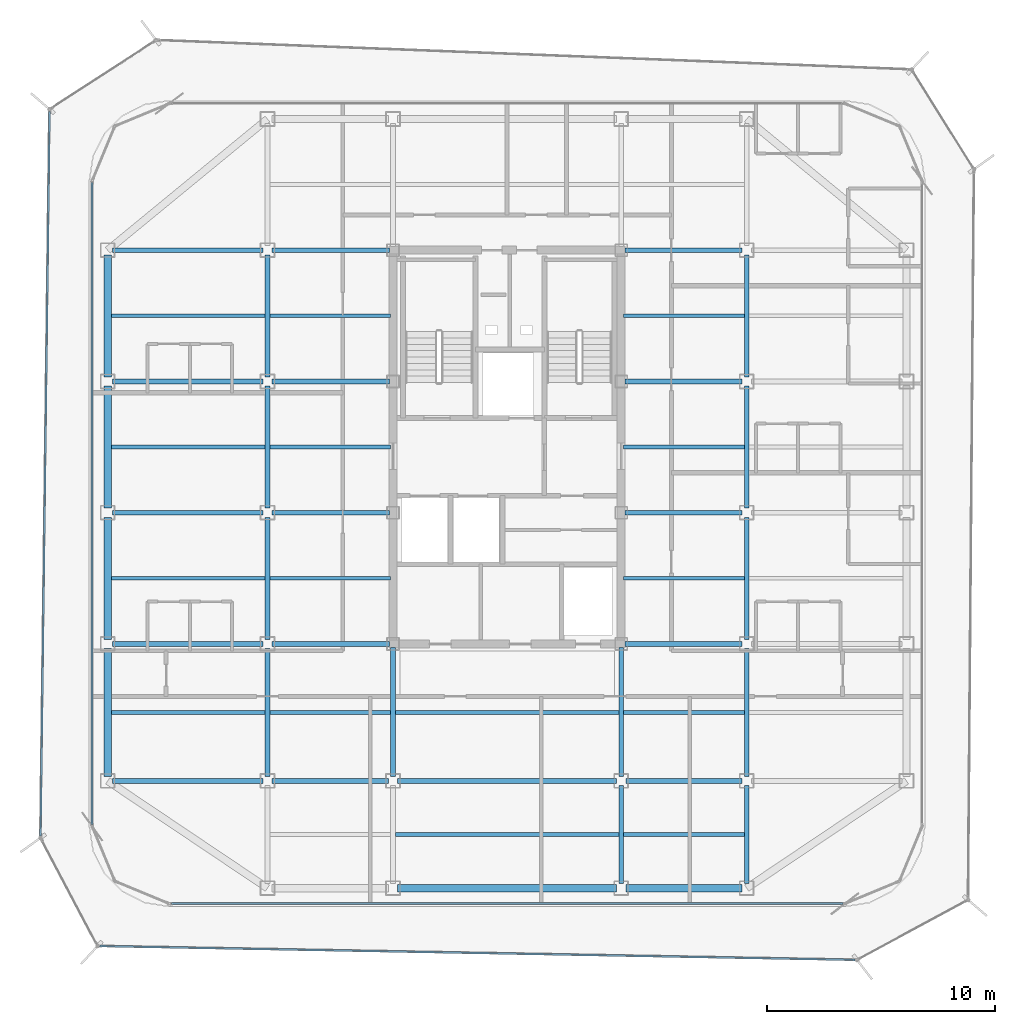
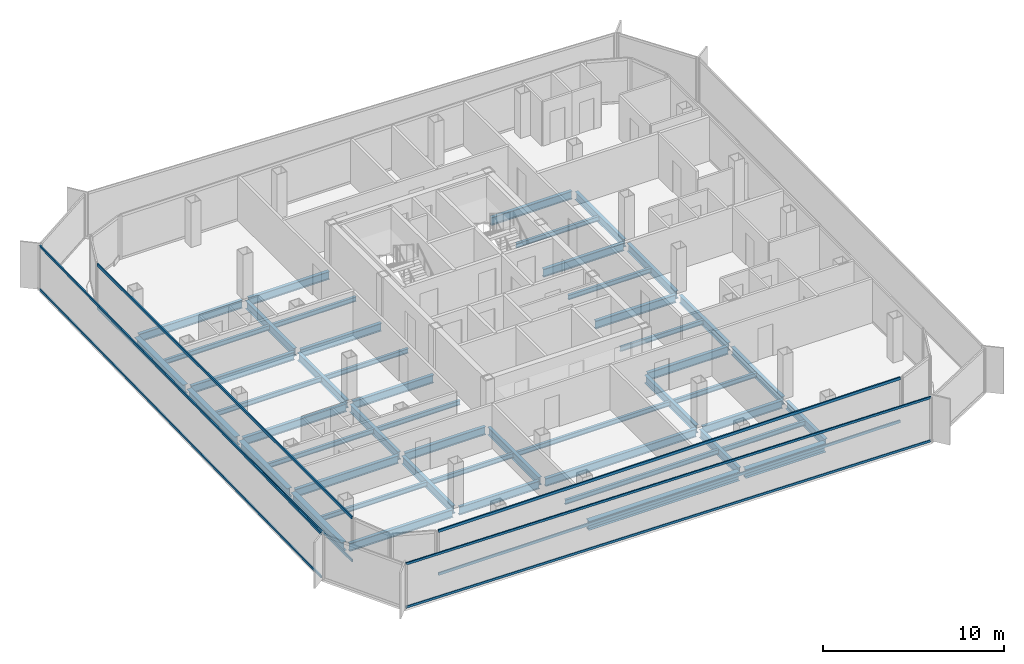
# One storey, part 3 of 15: 49 beams, 8 members, 4 elements without a shape of their own.
"""IFC4 building model written with IfcOpenShell, lengths in metres."""

from ifc_helpers import new_model, si_unit, direction, frame, origin, origin_2d, place, context, subcontext, project, spatial, hollow_rectangle, i_section, extrude, source, transform, mapped, material, layer, layer_set, material_profile, profile_set, type_object, element, aggregate, save


model = new_model("IFC4")

# Units and contexts
model_context = context("Model", 3, precision=1e-05, world=origin(), true_north=direction((0.0, 1.0)))
body_context = subcontext(model_context, "Body", "Model", "MODEL_VIEW")
ifc_project = project(units=[si_unit("LENGTHUNIT", "METRE"), si_unit("AREAUNIT", "SQUARE_METRE"), si_unit("VOLUMEUNIT", "CUBIC_METRE"), si_unit("PLANEANGLEUNIT", "RADIAN"), si_unit("MASSUNIT", "GRAM", prefix="KILO")], contexts=[model_context])

# Site, building, storey
site_placement = place(None, origin())
site = spatial("IfcSite", under=ifc_project, at=site_placement, CompositionType="ELEMENT")
building_placement = place(site_placement, origin())
building = spatial("IfcBuilding", under=site, at=building_placement, Name="Kolveth Station Tower", CompositionType="ELEMENT")
storey_placement = place(building_placement, frame((0.0, 0.0, 245.699951171875)))
storey = spatial("IfcBuildingStorey", under=building, at=storey_placement, Name="L70", CompositionType="ELEMENT", Elevation=245.699951171875)

# Beams
ifc_material_1 = material(Name="Steel S355", Category="steel")
ifc_material_profile_1 = material_profile(ifc_material_1, i_section(OverallWidth=0.323974609375, OverallDepth=0.611083984375, WebThickness=0.0126953125, FlangeThickness=0.01904296875, at=origin_2d()), Name="W610x155")
ifc_profile_set_1 = profile_set([ifc_material_profile_1], Name="Steel S355")
beam_type_1 = type_object("IfcBeamType", Name="Beam_SP2", PredefinedType="SPANDREL", material=ifc_profile_set_1)
shared_shape_1 = source(origin(), body_context, "Body", "SweptSolid", [
    extrude(i_section(OverallWidth=0.323974609375, OverallDepth=0.611083984375, WebThickness=0.0126953125, FlangeThickness=0.01904296875, at=origin_2d()), origin(), (0.0, 0.0, 1.0), 5.10009765625),
])
beam_1_placement = place(storey_placement, frame((28.699951171875, 0.800048828125, -0.525390625), z_axis=(1.0, 0.0, 0.0), x_axis=(0.0, 1.0, 0.0)))
element("IfcBeam", 1, at=beam_1_placement, inside=storey, type_object=beam_type_1, Name="L70 Perimeter Spandrel BM-L70-PS-3", PredefinedType="SPANDREL", context=body_context, shape_type="MappedRepresentation", body=[
    mapped(shared_shape_1, transform((0.0, 0.0, 0.0), x_axis=(1.0, 0.0, 0.0), y_axis=(0.0, 1.0, 0.0), z_axis=(0.0, 0.0, 1.0), scale=1.0)),
])
shared_shape_2 = source(origin(), body_context, "Body", "SweptSolid", [
    extrude(i_section(OverallWidth=0.323974609375, OverallDepth=0.611083984375, WebThickness=0.0126953125, FlangeThickness=0.01904296875, at=origin_2d()), origin(), (0.0, 0.0, 1.0), 9.60009765625),
])
beam_2_placement = place(storey_placement, frame((18.699951171875, 0.800048828125, -0.525390625), z_axis=(1.0, 0.0, 0.0), x_axis=(0.0, 1.0, 0.0)))
element("IfcBeam", 2, at=beam_2_placement, inside=storey, type_object=beam_type_1, Name="L70 Perimeter Spandrel BM-L70-PS-2", PredefinedType="SPANDREL", context=body_context, shape_type="MappedRepresentation", body=[
    mapped(shared_shape_2, transform((0.0, 0.0, 0.0), x_axis=(1.0, 0.0, 0.0), y_axis=(0.0, 1.0, 0.0), z_axis=(0.0, 0.0, 1.0), scale=1.0)),
])
shared_shape_3 = source(origin(), body_context, "Body", "SweptSolid", [
    extrude(i_section(OverallWidth=0.323974609375, OverallDepth=0.611083984375, WebThickness=0.0126953125, FlangeThickness=0.01904296875, at=origin_2d()), origin(), (0.0, 0.0, 1.0), 5.60009765625),
])
beam_3_placement = place(storey_placement, frame((6.0, 5.699951171875, -0.525390625), z_axis=(0.0, 1.0, 0.0), x_axis=(-1.0, 0.0, 0.0)))
element("IfcBeam", 3, at=beam_3_placement, inside=storey, type_object=beam_type_1, Name="L70 Perimeter Spandrel BM-L70-PW-1", PredefinedType="SPANDREL", context=body_context, shape_type="MappedRepresentation", body=[
    mapped(shared_shape_3, transform((0.0, 0.0, 0.0), x_axis=(1.0, 0.0, 0.0), y_axis=(0.0, 1.0, 0.0), z_axis=(0.0, 0.0, 1.0), scale=1.0)),
])
shared_shape_4 = source(origin(), body_context, "Body", "SweptSolid", [
    extrude(i_section(OverallWidth=0.323974609375, OverallDepth=0.611083984375, WebThickness=0.0126953125, FlangeThickness=0.01904296875, at=origin_2d()), origin(), (0.0, 0.0, 1.0), 5.35009765625),
])
for number, where, z_axis, x_axis, name in (
    (4, (6.0, 11.699951171875, -0.525390625), (0.0, 1.0, 0.0), (-1.0, 0.0, 0.0), "L70 Perimeter Spandrel BM-L70-PW-2"),
    (5, (6.0, 17.449951171875, -0.525390625), (0.0, 1.0, 0.0), (-1.0, 0.0, 0.0), "L70 Perimeter Spandrel BM-L70-PW-3"),
    (6, (6.0, 23.199951171875, -0.525390625), (0.0, 1.0, 0.0), (-1.0, 0.0, 0.0), "L70 Perimeter Spandrel BM-L70-PW-4"),
):
    element("IfcBeam", number, at=place(storey_placement, frame(where, z_axis=z_axis, x_axis=x_axis)), inside=storey, type_object=beam_type_1, Name=name, PredefinedType="SPANDREL", context=body_context, shape_type="MappedRepresentation", body=[
        mapped(shared_shape_4, transform((0.0, 0.0, 0.0), x_axis=(1.0, 0.0, 0.0), y_axis=(0.0, 1.0, 0.0), z_axis=(0.0, 0.0, 1.0), scale=1.0)),
    ])
ifc_material_profile_2 = material_profile(ifc_material_1, i_section(OverallWidth=0.2099609375, OverallDepth=0.537109375, WebThickness=0.010986328125, FlangeThickness=0.017333984375, at=origin_2d()), Name="W530x101")
ifc_profile_set_2 = profile_set([ifc_material_profile_2], Name="Steel S355")
beam_type_2 = type_object("IfcBeamType", Name="Beam_B6", PredefinedType="BEAM", material=ifc_profile_set_2)
shared_shape_5 = source(origin(), body_context, "Body", "SweptSolid", [
    extrude(i_section(OverallWidth=0.2099609375, OverallDepth=0.537109375, WebThickness=0.010986328125, FlangeThickness=0.017333984375, at=origin_2d()), origin(), (0.0, 0.0, 1.0), 6.60009765625),
])
for number, where, z_axis, x_axis, name in (
    (7, (6.199951171875, 5.5, -0.488525390625), (1.0, 0.0, 0.0), (0.0, 1.0, 0.0), "L70 Primary Girder BM-L70-GY55-1"),
    (8, (6.199951171875, 11.5, -0.488525390625), (1.0, 0.0, 0.0), (0.0, 1.0, 0.0), "L70 Primary Girder BM-L70-GY115-1"),
    (9, (6.199951171875, 17.25, -0.488525390625), (1.0, 0.0, 0.0), (0.0, 1.0, 0.0), "L70 Primary Girder BM-L70-GY172-1"),
    (10, (6.199951171875, 23.0, -0.488525390625), (1.0, 0.0, 0.0), (0.0, 1.0, 0.0), "L70 Primary Girder BM-L70-GY230-1"),
    (11, (6.199951171875, 28.75, -0.488525390625), (1.0, 0.0, 0.0), (0.0, 1.0, 0.0), "L70 Primary Girder BM-L70-GY287-1"),
):
    element("IfcBeam", number, at=place(storey_placement, frame(where, z_axis=z_axis, x_axis=x_axis)), inside=storey, type_object=beam_type_2, Name=name, PredefinedType="BEAM", context=body_context, shape_type="MappedRepresentation", body=[
        mapped(shared_shape_5, transform((0.0, 0.0, 0.0), x_axis=(1.0, 0.0, 0.0), y_axis=(0.0, 1.0, 0.0), z_axis=(0.0, 0.0, 1.0), scale=1.0)),
    ])
shared_shape_6 = source(origin(), body_context, "Body", "SweptSolid", [
    extrude(i_section(OverallWidth=0.2099609375, OverallDepth=0.537109375, WebThickness=0.010986328125, FlangeThickness=0.017333984375, at=origin_2d()), origin(), (0.0, 0.0, 1.0), 5.10009765625),
])
for number, where, z_axis, x_axis, name in (
    (12, (13.199951171875, 5.5, -0.488525390625), (1.0, 0.0, 0.0), (0.0, 1.0, 0.0), "L70 Primary Girder BM-L70-GY55-2"),
    (13, (28.699951171875, 5.5, -0.488525390625), (1.0, 0.0, 0.0), (0.0, 1.0, 0.0), "L70 Primary Girder BM-L70-GY55-4"),
):
    element("IfcBeam", number, at=place(storey_placement, frame(where, z_axis=z_axis, x_axis=x_axis)), inside=storey, type_object=beam_type_2, Name=name, PredefinedType="BEAM", context=body_context, shape_type="MappedRepresentation", body=[
        mapped(shared_shape_6, transform((0.0, 0.0, 0.0), x_axis=(1.0, 0.0, 0.0), y_axis=(0.0, 1.0, 0.0), z_axis=(0.0, 0.0, 1.0), scale=1.0)),
    ])
shared_shape_7 = source(origin(), body_context, "Body", "SweptSolid", [
    extrude(i_section(OverallWidth=0.2099609375, OverallDepth=0.537109375, WebThickness=0.010986328125, FlangeThickness=0.017333984375, at=origin_2d()), origin(), (0.0, 0.0, 1.0), 9.60009765625),
])
beam_4_placement = place(storey_placement, frame((18.699951171875, 5.5, -0.488525390625), z_axis=(1.0, 0.0, 0.0), x_axis=(0.0, 1.0, 0.0)))
element("IfcBeam", 14, at=beam_4_placement, inside=storey, type_object=beam_type_2, Name="L70 Primary Girder BM-L70-GY55-3", PredefinedType="BEAM", context=body_context, shape_type="MappedRepresentation", body=[
    mapped(shared_shape_7, transform((0.0, 0.0, 0.0), x_axis=(1.0, 0.0, 0.0), y_axis=(0.0, 1.0, 0.0), z_axis=(0.0, 0.0, 1.0), scale=1.0)),
])
shared_shape_8 = source(origin(), body_context, "Body", "SweptSolid", [
    extrude(i_section(OverallWidth=0.2099609375, OverallDepth=0.537109375, WebThickness=0.010986328125, FlangeThickness=0.017333984375, at=origin_2d()), origin(), (0.0, 0.0, 1.0), 5.14013671875),
])
for number, where, z_axis, x_axis, name in (
    (15, (13.199951171875, 11.5, -0.488525390625), (1.0, 0.0, 0.0), (0.0, 1.0, 0.0), "L70 Primary Girder BM-L70-GY115-2"),
    (16, (28.659912109375, 11.5, -0.488525390625), (1.0, 0.0, 0.0), (0.0, 1.0, 0.0), "L70 Primary Girder BM-L70-GY115-4"),
    (17, (13.199951171875, 17.25, -0.488525390625), (1.0, 0.0, 0.0), (0.0, 1.0, 0.0), "L70 Primary Girder BM-L70-GY172-2"),
    (18, (28.659912109375, 17.25, -0.488525390625), (1.0, 0.0, 0.0), (0.0, 1.0, 0.0), "L70 Primary Girder BM-L70-GY172-4"),
    (19, (13.199951171875, 23.0, -0.488525390625), (1.0, 0.0, 0.0), (0.0, 1.0, 0.0), "L70 Primary Girder BM-L70-GY230-2"),
    (20, (28.659912109375, 23.0, -0.488525390625), (1.0, 0.0, 0.0), (0.0, 1.0, 0.0), "L70 Primary Girder BM-L70-GY230-4"),
    (21, (13.199951171875, 28.75, -0.488525390625), (1.0, 0.0, 0.0), (0.0, 1.0, 0.0), "L70 Primary Girder BM-L70-GY287-2"),
    (22, (28.659912109375, 28.75, -0.488525390625), (1.0, 0.0, 0.0), (0.0, 1.0, 0.0), "L70 Primary Girder BM-L70-GY287-4"),
):
    element("IfcBeam", number, at=place(storey_placement, frame(where, z_axis=z_axis, x_axis=x_axis)), inside=storey, type_object=beam_type_2, Name=name, PredefinedType="BEAM", context=body_context, shape_type="MappedRepresentation", body=[
        mapped(shared_shape_8, transform((0.0, 0.0, 0.0), x_axis=(1.0, 0.0, 0.0), y_axis=(0.0, 1.0, 0.0), z_axis=(0.0, 0.0, 1.0), scale=1.0)),
    ])
shared_shape_9 = source(origin(), body_context, "Body", "SweptSolid", [
    extrude(i_section(OverallWidth=0.2099609375, OverallDepth=0.537109375, WebThickness=0.010986328125, FlangeThickness=0.017333984375, at=origin_2d()), origin(), (0.0, 0.0, 1.0), 4.300048828125),
])
for number, where, z_axis, x_axis, name in (
    (23, (28.5, 1.0, -0.488525390625), (0.0, 1.0, 0.0), (-1.0, 0.0, 0.0), "L70 Primary Girder BM-L70-GX285-1"),
    (24, (34.0, 1.0, -0.488525390625), (0.0, 1.0, 0.0), (-1.0, 0.0, 0.0), "L70 Primary Girder BM-L70-GX340-1"),
):
    element("IfcBeam", number, at=place(storey_placement, frame(where, z_axis=z_axis, x_axis=x_axis)), inside=storey, type_object=beam_type_2, Name=name, PredefinedType="BEAM", context=body_context, shape_type="MappedRepresentation", body=[
        mapped(shared_shape_9, transform((0.0, 0.0, 0.0), x_axis=(1.0, 0.0, 0.0), y_axis=(0.0, 1.0, 0.0), z_axis=(0.0, 0.0, 1.0), scale=1.0)),
    ])
shared_shape_10 = source(origin(), body_context, "Body", "SweptSolid", [
    extrude(i_section(OverallWidth=0.2099609375, OverallDepth=0.537109375, WebThickness=0.010986328125, FlangeThickness=0.017333984375, at=origin_2d()), origin(), (0.0, 0.0, 1.0), 5.60009765625),
])
for number, where, z_axis, x_axis, name in (
    (25, (13.0, 5.699951171875, -0.488525390625), (0.0, 1.0, 0.0), (-1.0, 0.0, 0.0), "L70 Primary Girder BM-L70-GX130-2"),
    (26, (34.0, 5.699951171875, -0.488525390625), (0.0, 1.0, 0.0), (-1.0, 0.0, 0.0), "L70 Primary Girder BM-L70-GX340-2"),
):
    element("IfcBeam", number, at=place(storey_placement, frame(where, z_axis=z_axis, x_axis=x_axis)), inside=storey, type_object=beam_type_2, Name=name, PredefinedType="BEAM", context=body_context, shape_type="MappedRepresentation", body=[
        mapped(shared_shape_10, transform((0.0, 0.0, 0.0), x_axis=(1.0, 0.0, 0.0), y_axis=(0.0, 1.0, 0.0), z_axis=(0.0, 0.0, 1.0), scale=1.0)),
    ])
shared_shape_11 = source(origin(), body_context, "Body", "SweptSolid", [
    extrude(i_section(OverallWidth=0.2099609375, OverallDepth=0.537109375, WebThickness=0.010986328125, FlangeThickness=0.017333984375, at=origin_2d()), origin(), (0.0, 0.0, 1.0), 5.35009765625),
])
for number, where, z_axis, x_axis, name in (
    (27, (13.0, 11.699951171875, -0.488525390625), (0.0, 1.0, 0.0), (-1.0, 0.0, 0.0), "L70 Primary Girder BM-L70-GX130-3"),
    (28, (13.0, 17.449951171875, -0.488525390625), (0.0, 1.0, 0.0), (-1.0, 0.0, 0.0), "L70 Primary Girder BM-L70-GX130-4"),
    (29, (13.0, 23.199951171875, -0.488525390625), (0.0, 1.0, 0.0), (-1.0, 0.0, 0.0), "L70 Primary Girder BM-L70-GX130-5"),
    (30, (34.0, 11.699951171875, -0.488525390625), (0.0, 1.0, 0.0), (-1.0, 0.0, 0.0), "L70 Primary Girder BM-L70-GX340-3"),
    (31, (34.0, 17.449951171875, -0.488525390625), (0.0, 1.0, 0.0), (-1.0, 0.0, 0.0), "L70 Primary Girder BM-L70-GX340-4"),
    (32, (34.0, 23.199951171875, -0.488525390625), (0.0, 1.0, 0.0), (-1.0, 0.0, 0.0), "L70 Primary Girder BM-L70-GX340-5"),
):
    element("IfcBeam", number, at=place(storey_placement, frame(where, z_axis=z_axis, x_axis=x_axis)), inside=storey, type_object=beam_type_2, Name=name, PredefinedType="BEAM", context=body_context, shape_type="MappedRepresentation", body=[
        mapped(shared_shape_11, transform((0.0, 0.0, 0.0), x_axis=(1.0, 0.0, 0.0), y_axis=(0.0, 1.0, 0.0), z_axis=(0.0, 0.0, 1.0), scale=1.0)),
    ])
shared_shape_12 = source(origin(), body_context, "Body", "SweptSolid", [
    extrude(i_section(OverallWidth=0.2099609375, OverallDepth=0.537109375, WebThickness=0.010986328125, FlangeThickness=0.017333984375, at=origin_2d()), origin(), (0.0, 0.0, 1.0), 5.64013671875),
])
for number, where, z_axis, x_axis, name in (
    (33, (18.5, 5.699951171875, -0.488525390625), (0.0, 1.0, 0.0), (-1.0, 0.0, 0.0), "L70 Primary Girder BM-L70-GX185-2"),
    (34, (28.5, 5.699951171875, -0.488525390625), (0.0, 1.0, 0.0), (-1.0, 0.0, 0.0), "L70 Primary Girder BM-L70-GX285-2"),
):
    element("IfcBeam", number, at=place(storey_placement, frame(where, z_axis=z_axis, x_axis=x_axis)), inside=storey, type_object=beam_type_2, Name=name, PredefinedType="BEAM", context=body_context, shape_type="MappedRepresentation", body=[
        mapped(shared_shape_12, transform((0.0, 0.0, 0.0), x_axis=(1.0, 0.0, 0.0), y_axis=(0.0, 1.0, 0.0), z_axis=(0.0, 0.0, 1.0), scale=1.0)),
    ])
ifc_material_profile_3 = material_profile(ifc_material_1, i_section(OverallWidth=0.1650390625, OverallDepth=0.31005859375, WebThickness=0.005859375, FlangeThickness=0.009765625, at=origin_2d()), Name="W310x39")
ifc_profile_set_3 = profile_set([ifc_material_profile_3], Name="Steel S355")
beam_type_3 = type_object("IfcBeamType", Name="Beam_J3", PredefinedType="JOIST", material=ifc_profile_set_3)
shared_shape_13 = source(origin(), body_context, "Body", "SweptSolid", [
    extrude(i_section(OverallWidth=0.1650390625, OverallDepth=0.31005859375, WebThickness=0.005859375, FlangeThickness=0.009765625, at=origin_2d()), origin(), (0.0, 0.0, 1.0), 6.737060546875),
])
for number, where, z_axis, x_axis, name in (
    (35, (6.159912109375, 8.5, -0.375), (1.0, 0.0, 0.0), (0.0, 1.0, 0.0), "L70 Secondary Joist JST-L70-1-2"),
    (36, (6.159912109375, 14.375, -0.375), (1.0, 0.0, 0.0), (0.0, 1.0, 0.0), "L70 Secondary Joist JST-L70-1-3"),
    (37, (6.159912109375, 20.125, -0.375), (1.0, 0.0, 0.0), (0.0, 1.0, 0.0), "L70 Secondary Joist JST-L70-1-4"),
    (38, (6.159912109375, 25.875, -0.375), (1.0, 0.0, 0.0), (0.0, 1.0, 0.0), "L70 Secondary Joist JST-L70-1-5"),
):
    element("IfcBeam", number, at=place(storey_placement, frame(where, z_axis=z_axis, x_axis=x_axis)), inside=storey, type_object=beam_type_3, Name=name, PredefinedType="JOIST", context=body_context, shape_type="MappedRepresentation", body=[
        mapped(shared_shape_13, transform((0.0, 0.0, 0.0), x_axis=(1.0, 0.0, 0.0), y_axis=(0.0, 1.0, 0.0), z_axis=(0.0, 0.0, 1.0), scale=1.0)),
    ])
shared_shape_14 = source(origin(), body_context, "Body", "SweptSolid", [
    extrude(i_section(OverallWidth=0.1650390625, OverallDepth=0.31005859375, WebThickness=0.005859375, FlangeThickness=0.009765625, at=origin_2d()), origin(), (0.0, 0.0, 1.0), 5.2939453125),
])
for number, where, z_axis, x_axis, name in (
    (39, (13.10302734375, 8.5, -0.375), (1.0, 0.0, 0.0), (0.0, 1.0, 0.0), "L70 Secondary Joist JST-L70-2-2"),
    (40, (13.10302734375, 14.375, -0.375), (1.0, 0.0, 0.0), (0.0, 1.0, 0.0), "L70 Secondary Joist JST-L70-2-3"),
    (41, (13.10302734375, 20.125, -0.375), (1.0, 0.0, 0.0), (0.0, 1.0, 0.0), "L70 Secondary Joist JST-L70-2-4"),
    (42, (13.10302734375, 25.875, -0.375), (1.0, 0.0, 0.0), (0.0, 1.0, 0.0), "L70 Secondary Joist JST-L70-2-5"),
    (43, (28.60302734375, 3.14990234375, -0.375), (1.0, 0.0, 0.0), (0.0, 1.0, 0.0), "L70 Secondary Joist JST-L70-4-1"),
    (44, (28.60302734375, 8.5, -0.375), (1.0, 0.0, 0.0), (0.0, 1.0, 0.0), "L70 Secondary Joist JST-L70-4-2"),
    (45, (28.60302734375, 14.375, -0.375), (1.0, 0.0, 0.0), (0.0, 1.0, 0.0), "L70 Secondary Joist JST-L70-4-3"),
    (46, (28.60302734375, 20.125, -0.375), (1.0, 0.0, 0.0), (0.0, 1.0, 0.0), "L70 Secondary Joist JST-L70-4-4"),
    (47, (28.60302734375, 25.875, -0.375), (1.0, 0.0, 0.0), (0.0, 1.0, 0.0), "L70 Secondary Joist JST-L70-4-5"),
):
    element("IfcBeam", number, at=place(storey_placement, frame(where, z_axis=z_axis, x_axis=x_axis)), inside=storey, type_object=beam_type_3, Name=name, PredefinedType="JOIST", context=body_context, shape_type="MappedRepresentation", body=[
        mapped(shared_shape_14, transform((0.0, 0.0, 0.0), x_axis=(1.0, 0.0, 0.0), y_axis=(0.0, 1.0, 0.0), z_axis=(0.0, 0.0, 1.0), scale=1.0)),
    ])
shared_shape_15 = source(origin(), body_context, "Body", "SweptSolid", [
    extrude(i_section(OverallWidth=0.1650390625, OverallDepth=0.31005859375, WebThickness=0.005859375, FlangeThickness=0.009765625, at=origin_2d()), origin(), (0.0, 0.0, 1.0), 9.7939453125),
])
for number, where, z_axis, x_axis, name in (
    (48, (18.60302734375, 3.14990234375, -0.375), (1.0, 0.0, 0.0), (0.0, 1.0, 0.0), "L70 Secondary Joist JST-L70-3-1"),
    (49, (18.60302734375, 8.5, -0.375), (1.0, 0.0, 0.0), (0.0, 1.0, 0.0), "L70 Secondary Joist JST-L70-3-2"),
):
    element("IfcBeam", number, at=place(storey_placement, frame(where, z_axis=z_axis, x_axis=x_axis)), inside=storey, type_object=beam_type_3, Name=name, PredefinedType="JOIST", context=body_context, shape_type="MappedRepresentation", body=[
        mapped(shared_shape_15, transform((0.0, 0.0, 0.0), x_axis=(1.0, 0.0, 0.0), y_axis=(0.0, 1.0, 0.0), z_axis=(0.0, 0.0, 1.0), scale=1.0)),
    ])

# Curtain wall, members
ifc_material_2 = material(Name="Aluminium 6063-T6 and triple low-E dark glass", Category="aluminium")
ifc_layer_1 = layer(ifc_material_2, 0.199951171875)
ifc_layer_set_1 = layer_set([ifc_layer_1], Name="Aluminium 6063-T6 and triple low-E dark glass")
curtain_wall_type_1 = type_object("IfcCurtainWallType", Name="CurtainWall_CW-Z3", PredefinedType="NOTDEFINED", material=ifc_layer_set_1)
curtain_wall_1_placement = place(storey_placement, origin())
curtain_wall_1 = element("IfcCurtainWall", 50, at=curtain_wall_1_placement, inside=storey, type_object=curtain_wall_type_1, Name="L70 Inner Thermal Curtain Wall 9", PredefinedType="NOTDEFINED")
ifc_material_3 = material(Name="Black anodized aluminium 6063-T6", Category="aluminium")
ifc_material_profile_4 = material_profile(ifc_material_3, hollow_rectangle(XDim=0.0849609375, YDim=0.179931640625, WallThickness=0.0048828125, at=origin_2d()), Name="ALU-85x180x5")
ifc_profile_set_4 = profile_set([ifc_material_profile_4], Name="Black anodized aluminium 6063-T6")
member_type_1 = type_object("IfcMemberType", Name="Transom_TR3", PredefinedType="USERDEFINED", material=ifc_profile_set_4)
shared_shape_16 = source(origin(), body_context, "Body", "SweptSolid", [
    extrude(hollow_rectangle(XDim=0.0849609375, YDim=0.179931640625, WallThickness=0.0048828125, at=origin_2d()), origin(), (0.0, 0.0, 1.0), 28.130126953125),
])
member_1_placement = place(storey_placement, frame((5.320068359375, 31.715087890625, 0.04248046875), z_axis=(0.0, -1.0, 0.0), x_axis=(1.0, 0.0, 0.0)))
member_1 = element("IfcMember", 51, at=member_1_placement, type_object=member_type_1, Name="CW-Z3 transom 1.1", ObjectType="TRANSOM", PredefinedType="USERDEFINED", context=body_context, shape_type="MappedRepresentation", body=[
    mapped(shared_shape_16, transform((0.0, 0.0, 0.0), x_axis=(1.0, 0.0, 0.0), y_axis=(0.0, 1.0, 0.0), z_axis=(0.0, 0.0, 1.0), scale=1.0)),
])
member_2_placement = place(storey_placement, frame((5.320068359375, 31.715087890625, 2.9375), z_axis=(0.0, -1.0, 0.0), x_axis=(1.0, 0.0, 0.0)))
member_2 = element("IfcMember", 52, at=member_2_placement, type_object=member_type_1, Name="CW-Z3 transom 1.2", ObjectType="TRANSOM", PredefinedType="USERDEFINED", context=body_context, shape_type="MappedRepresentation", body=[
    mapped(shared_shape_16, transform((0.0, 0.0, 0.0), x_axis=(1.0, 0.0, 0.0), y_axis=(0.0, 1.0, 0.0), z_axis=(0.0, 0.0, 1.0), scale=1.0)),
])
aggregate(curtain_wall_1, [member_1, member_2])

curtain_wall_2_placement = place(storey_placement, origin())
curtain_wall_2 = element("IfcCurtainWall", 53, at=curtain_wall_2_placement, inside=storey, type_object=curtain_wall_type_1, Name="L70 Inner Thermal Curtain Wall 12", PredefinedType="NOTDEFINED")
shared_shape_17 = source(origin(), body_context, "Body", "SweptSolid", [
    extrude(hollow_rectangle(XDim=0.0849609375, YDim=0.179931640625, WallThickness=0.0048828125, at=origin_2d()), origin(), (0.0, 0.0, 1.0), 29.43017578125),
])
member_3_placement = place(storey_placement, frame((8.784912109375, 0.1201171875, 0.04248046875), z_axis=(1.0, 0.0, 0.0), x_axis=(0.0, 1.0, 0.0)))
member_3 = element("IfcMember", 54, at=member_3_placement, type_object=member_type_1, Name="CW-Z3 transom 1.1", ObjectType="TRANSOM", PredefinedType="USERDEFINED", context=body_context, shape_type="MappedRepresentation", body=[
    mapped(shared_shape_17, transform((0.0, 0.0, 0.0), x_axis=(1.0, 0.0, 0.0), y_axis=(0.0, 1.0, 0.0), z_axis=(0.0, 0.0, 1.0), scale=1.0)),
])
member_4_placement = place(storey_placement, frame((8.784912109375, 0.1201171875, 2.9375), z_axis=(1.0, 0.0, 0.0), x_axis=(0.0, 1.0, 0.0)))
member_4 = element("IfcMember", 55, at=member_4_placement, type_object=member_type_1, Name="CW-Z3 transom 1.2", ObjectType="TRANSOM", PredefinedType="USERDEFINED", context=body_context, shape_type="MappedRepresentation", body=[
    mapped(shared_shape_17, transform((0.0, 0.0, 0.0), x_axis=(1.0, 0.0, 0.0), y_axis=(0.0, 1.0, 0.0), z_axis=(0.0, 0.0, 1.0), scale=1.0)),
])
aggregate(curtain_wall_2, [member_3, member_4])

ifc_material_4 = material(Name="Black anodized aluminium 6063-T6 and dark solar glass", Category="aluminium")
ifc_layer_2 = layer(ifc_material_4, 0.159912109375)
ifc_layer_set_2 = layer_set([ifc_layer_2], Name="Black anodized aluminium 6063-T6 and dark solar glass")
curtain_wall_type_2 = type_object("IfcCurtainWallType", Name="OUTER SKIN CW-OS", PredefinedType="NOTDEFINED", material=ifc_layer_set_2)
curtain_wall_3_placement = place(storey_placement, origin())
curtain_wall_3 = element("IfcCurtainWall", 56, at=curtain_wall_3_placement, inside=storey, type_object=curtain_wall_type_2, Name="L70 Outer Ventilated Skin Curtain Wall 6", PredefinedType="NOTDEFINED")
ifc_material_profile_5 = material_profile(ifc_material_3, hollow_rectangle(XDim=0.080078125, YDim=0.14990234375, WallThickness=0.0048828125, at=origin_2d()), Name="ALU-80x150x5")
ifc_profile_set_5 = profile_set([ifc_material_profile_5], Name="Black anodized aluminium 6063-T6")
member_type_2 = type_object("IfcMemberType", Name="Transom_TR-OS", PredefinedType="USERDEFINED", material=ifc_profile_set_5)
shared_shape_18 = source(origin(), body_context, "Body", "SweptSolid", [
    extrude(hollow_rectangle(XDim=0.080078125, YDim=0.14990234375, WallThickness=0.0048828125, at=origin_2d()), origin(), (0.0, 0.0, 1.0), 31.74365234375),
])
member_5_placement = place(storey_placement, frame((3.453857421875, 34.835205078125, 0.0400390625), z_axis=(-0.012428661832, -0.9999227612, 0.0), x_axis=(0.9999227612, -0.012428661832, 0.0)))
member_5 = element("IfcMember", 57, at=member_5_placement, type_object=member_type_2, Name="CW-OS transom 1.1", ObjectType="TRANSOM", PredefinedType="USERDEFINED", context=body_context, shape_type="MappedRepresentation", body=[
    mapped(shared_shape_18, transform((0.0, 0.0, 0.0), x_axis=(1.0, 0.0, 0.0), y_axis=(0.0, 1.0, 0.0), z_axis=(0.0, 0.0, 1.0), scale=1.0)),
])
member_6_placement = place(storey_placement, frame((3.453857421875, 34.835205078125, 2.949951171875), z_axis=(-0.012428661832, -0.9999227612, 0.0), x_axis=(0.9999227612, -0.012428661832, 0.0)))
member_6 = element("IfcMember", 58, at=member_6_placement, type_object=member_type_2, Name="CW-OS transom 1.2", ObjectType="TRANSOM", PredefinedType="USERDEFINED", context=body_context, shape_type="MappedRepresentation", body=[
    mapped(shared_shape_18, transform((0.0, 0.0, 0.0), x_axis=(1.0, 0.0, 0.0), y_axis=(0.0, 1.0, 0.0), z_axis=(0.0, 0.0, 1.0), scale=1.0)),
])
aggregate(curtain_wall_3, [member_5, member_6])

curtain_wall_4_placement = place(storey_placement, origin())
curtain_wall_4 = element("IfcCurtainWall", 59, at=curtain_wall_4_placement, inside=storey, type_object=curtain_wall_type_2, Name="L70 Outer Ventilated Skin Curtain Wall 8", PredefinedType="NOTDEFINED")
shared_shape_19 = source(origin(), body_context, "Body", "SweptSolid", [
    extrude(hollow_rectangle(XDim=0.080078125, YDim=0.14990234375, WallThickness=0.0048828125, at=origin_2d()), origin(), (0.0, 0.0, 1.0), 33.09912109375),
])
member_7_placement = place(storey_placement, frame((5.652099609375, -1.73779296875, 0.0400390625), z_axis=(0.999832675744, -0.018292635509, 0.0), x_axis=(0.018292635509, 0.999832675744, 0.0)))
member_7 = element("IfcMember", 60, at=member_7_placement, type_object=member_type_2, Name="CW-OS transom 1.1", ObjectType="TRANSOM", PredefinedType="USERDEFINED", context=body_context, shape_type="MappedRepresentation", body=[
    mapped(shared_shape_19, transform((0.0, 0.0, 0.0), x_axis=(1.0, 0.0, 0.0), y_axis=(0.0, 1.0, 0.0), z_axis=(0.0, 0.0, 1.0), scale=1.0)),
])
member_8_placement = place(storey_placement, frame((5.652099609375, -1.73779296875, 2.949951171875), z_axis=(0.999832675744, -0.018292635509, 0.0), x_axis=(0.018292635509, 0.999832675744, 0.0)))
member_8 = element("IfcMember", 61, at=member_8_placement, type_object=member_type_2, Name="CW-OS transom 1.2", ObjectType="TRANSOM", PredefinedType="USERDEFINED", context=body_context, shape_type="MappedRepresentation", body=[
    mapped(shared_shape_19, transform((0.0, 0.0, 0.0), x_axis=(1.0, 0.0, 0.0), y_axis=(0.0, 1.0, 0.0), z_axis=(0.0, 0.0, 1.0), scale=1.0)),
])
aggregate(curtain_wall_4, [member_7, member_8])

save(model, "model.ifc")
